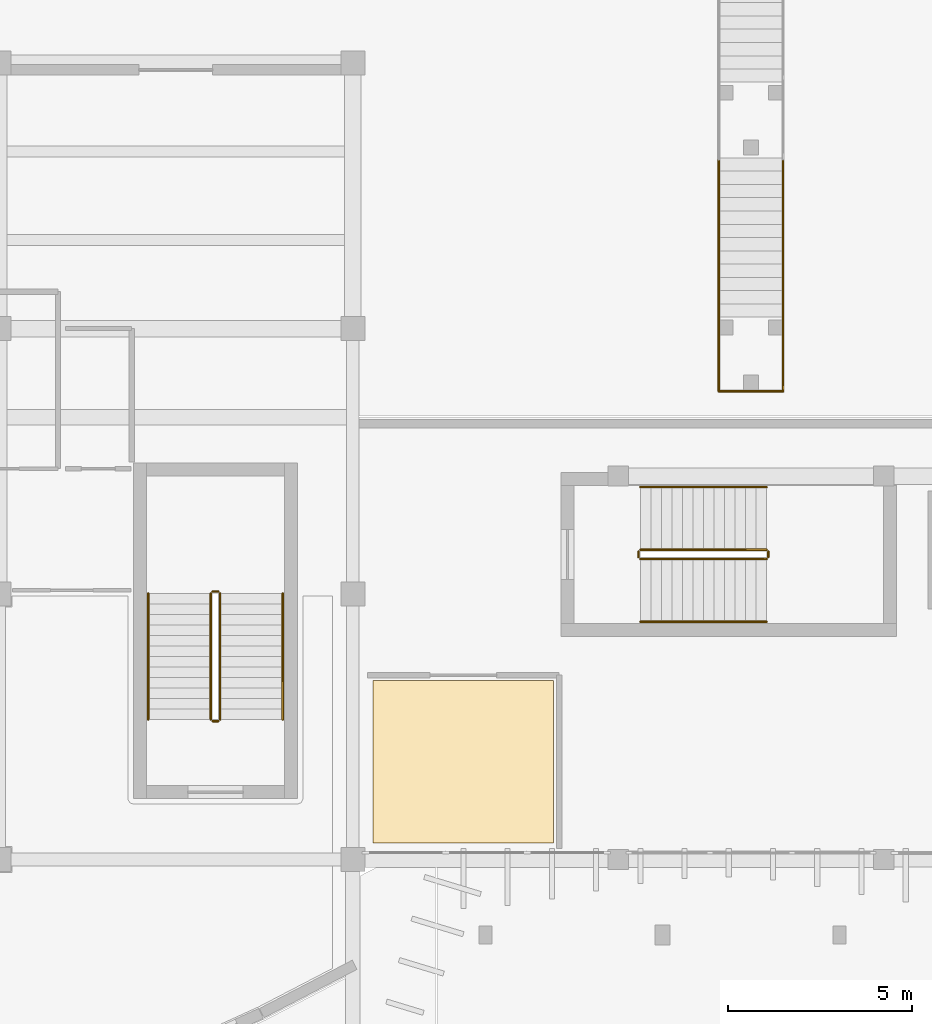
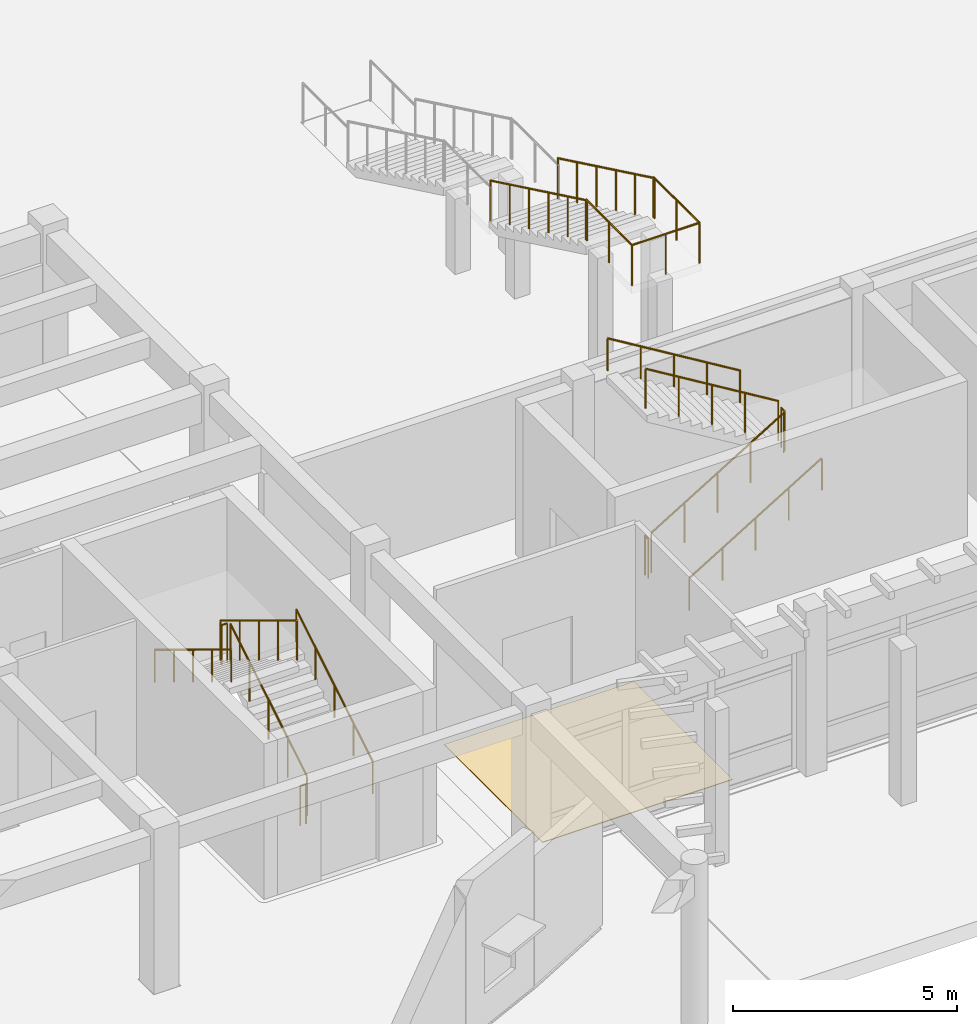
# One storey, part 48 of 58: 17 railings, 1 covering.
"""IFC4 building model written with IfcOpenShell, lengths in metres."""

from ifc_helpers import new_model, si_unit, direction, frame, origin, origin_2d, place, context, subcontext, project, spatial, polyline, circle, outline, extrude, material, layer, layer_set, type_object, element, save


model = new_model("IFC4")

# Units and contexts
model_context = context("Model", 3, precision=1e-05, world=origin(), true_north=direction((0.0, 1.0)))
body_context = subcontext(model_context, "Body", "Model", "MODEL_VIEW")
ifc_project = project(units=[si_unit("LENGTHUNIT", "METRE"), si_unit("AREAUNIT", "SQUARE_METRE"), si_unit("VOLUMEUNIT", "CUBIC_METRE"), si_unit("PLANEANGLEUNIT", "RADIAN"), si_unit("MASSUNIT", "GRAM", prefix="KILO")], contexts=[model_context])

# Site, building, storey
site_placement = place(None, origin())
site = spatial("IfcSite", under=ifc_project, at=site_placement, CompositionType="ELEMENT")
building_placement = place(site_placement, origin())
building = spatial("IfcBuilding", under=site, at=building_placement, Name="Brisavento Harbour Community Centre", CompositionType="ELEMENT")
storey_placement = place(building_placement, origin())
storey = spatial("IfcBuildingStorey", under=building, at=storey_placement, Name="L00", CompositionType="ELEMENT", Elevation=0.0)

# Covering
ifc_material_1 = material(Name="Polished marine terrazzo tile", Category="other")
ifc_layer = layer(ifc_material_1, 0.02001953125, Name="Polished marine terrazzo tile")
ifc_layer_set = layer_set([ifc_layer], Name="Polished marine terrazzo tile")
covering_type = type_object("IfcCoveringType", Name="COV-FLR-TRZ", PredefinedType="FLOORING", material=ifc_layer_set)
covering_placement = place(storey_placement, origin())
element("IfcCovering", 1, at=covering_placement, inside=storey, type_object=covering_type, Name="L00 Community Box Office and Cloakroom terrazzo flooring", PredefinedType="FLOORING", context=body_context, shape_type="SweptSolid", body=[
    extrude(outline(polyline([(55.85009765625, 14.85009765625), (55.85009765625, 19.25), (50.949951171875, 19.25), (50.949951171875, 14.85009765625), (55.85009765625, 14.85009765625)])), origin(), (0.0, 0.0, 1.0), 0.02001953125),
])

# Railings
ifc_material_2 = material(Name="Stainless steel 1.4401", Category="steel")
railing_type_1 = type_object("IfcRailingType", Name="RL-ST-GUARD", PredefinedType="GUARDRAIL", material=ifc_material_2)
railing_1_placement = place(storey_placement, frame((46.800048828125, 18.199951171875, 0.173095703125)))
element("IfcRailing", 2, at=railing_1_placement, inside=storey, type_object=railing_type_1, Name="L00 ST-02 stair guard 1", PredefinedType="GUARDRAIL", context=body_context, shape_type="SweptSolid", body=[
    extrude(circle(Radius=0.02392578125, at=origin_2d()), frame((0.0, 0.0, 1.076171875), z_axis=(0.0, 0.854745945586, 0.519046595696), x_axis=(-1.0, 0.0, 0.0)), (0.0, 0.0, 1.0), 4.00146484375),
    extrude(circle(Radius=0.02099609375, at=origin_2d()), origin(), (0.0, 0.0, 1.0), 1.052001953125),
    extrude(circle(Radius=0.02099609375, at=origin_2d()), frame((0.0, 0.85498046875, 0.519287109375)), (0.0, 0.0, 1.0), 1.052001953125),
    extrude(circle(Radius=0.02099609375, at=origin_2d()), frame((0.0, 1.7099609375, 1.03857421875)), (0.0, 0.0, 1.0), 1.052001953125),
    extrude(circle(Radius=0.02099609375, at=origin_2d()), frame((0.0, 2.565185546875, 1.5576171875)), (0.0, 0.0, 1.0), 1.052001953125),
    extrude(circle(Radius=0.02099609375, at=origin_2d()), frame((0.0, 3.420166015625, 2.076904296875)), (0.0, 0.0, 1.0), 1.052001953125),
])
railing_2_placement = place(storey_placement, frame((46.75, 21.669921875, 2.25)))
element("IfcRailing", 3, at=railing_2_placement, inside=storey, type_object=railing_type_1, Name="L00 ST-02 stair guard 2", PredefinedType="GUARDRAIL", context=body_context, shape_type="SweptSolid", body=[
    extrude(circle(Radius=0.02392578125, at=origin_2d()), frame((0.0, 0.0, 1.076171875), z_axis=(-1.0, 0.0, 0.0), x_axis=(0.0, -1.0, 0.0)), (0.0, 0.0, 1.0), 0.14990234375),
    extrude(circle(Radius=0.02099609375, at=origin_2d()), origin(), (0.0, 0.0, 1.0), 1.052001953125),
    extrude(circle(Radius=0.02099609375, at=origin_2d()), frame((-0.14990234375, 0.0, 0.0)), (0.0, 0.0, 1.0), 1.052001953125),
])
railing_3_placement = place(storey_placement, frame((46.550048828125, 21.6201171875, 2.423095703125)))
element("IfcRailing", 4, at=railing_3_placement, inside=storey, type_object=railing_type_1, Name="L00 ST-02 stair guard 3", PredefinedType="GUARDRAIL", context=body_context, shape_type="SweptSolid", body=[
    extrude(circle(Radius=0.02392578125, at=origin_2d()), frame((0.0, 0.0, 1.076171875), z_axis=(0.0, -0.854745945586, 0.519046595696), x_axis=(1.0, 0.0, 0.0)), (0.0, 0.0, 1.0), 4.00146484375),
    extrude(circle(Radius=0.02099609375, at=origin_2d()), origin(), (0.0, 0.0, 1.0), 1.052001953125),
    extrude(circle(Radius=0.02099609375, at=origin_2d()), frame((0.0, -0.85498046875, 0.519287109375)), (0.0, 0.0, 1.0), 1.052001953125),
    extrude(circle(Radius=0.02099609375, at=origin_2d()), frame((0.0, -1.7099609375, 1.03857421875)), (0.0, 0.0, 1.0), 1.052001953125),
    extrude(circle(Radius=0.02099609375, at=origin_2d()), frame((0.0, -2.565185546875, 1.5576171875)), (0.0, 0.0, 1.0), 1.052001953125),
    extrude(circle(Radius=0.02099609375, at=origin_2d()), frame((0.0, -3.420166015625, 2.076904296875)), (0.0, 0.0, 1.0), 1.052001953125),
])
railing_4_placement = place(storey_placement, frame((46.75, 18.14990234375, 0.0)))
element("IfcRailing", 5, at=railing_4_placement, inside=storey, type_object=railing_type_1, Name="L00 ST-02 stair guard 4", PredefinedType="GUARDRAIL", context=body_context, shape_type="SweptSolid", body=[
    extrude(circle(Radius=0.02392578125, at=origin_2d()), frame((0.0, 0.0, 1.076171875), z_axis=(-1.0, 0.0, 0.0), x_axis=(0.0, -1.0, 0.0)), (0.0, 0.0, 1.0), 0.14990234375),
    extrude(circle(Radius=0.02099609375, at=origin_2d()), origin(), (0.0, 0.0, 1.0), 1.052001953125),
    extrude(circle(Radius=0.02099609375, at=origin_2d()), frame((-0.14990234375, 0.0, 0.0)), (0.0, 0.0, 1.0), 1.052001953125),
])
railing_5_placement = place(storey_placement, frame((58.199951171875, 22.550048828125, 0.173095703125)))
element("IfcRailing", 6, at=railing_5_placement, inside=storey, type_object=railing_type_1, Name="L00 ST-03 stair guard 1", PredefinedType="GUARDRAIL", context=body_context, shape_type="SweptSolid", body=[
    extrude(circle(Radius=0.02392578125, at=origin_2d()), frame((0.0, 0.0, 1.076171875), z_axis=(0.854745945586, 0.0, 0.519046595696), x_axis=(0.0, 1.0, 0.0)), (0.0, 0.0, 1.0), 4.00146484375),
    extrude(circle(Radius=0.02099609375, at=origin_2d()), origin(), (0.0, 0.0, 1.0), 1.052001953125),
    extrude(circle(Radius=0.02099609375, at=origin_2d()), frame((0.85498046875, 0.0, 0.519287109375)), (0.0, 0.0, 1.0), 1.052001953125),
    extrude(circle(Radius=0.02099609375, at=origin_2d()), frame((1.7099609375, 0.0, 1.03857421875)), (0.0, 0.0, 1.0), 1.052001953125),
    extrude(circle(Radius=0.02099609375, at=origin_2d()), frame((2.565185546875, 0.0, 1.5576171875)), (0.0, 0.0, 1.0), 1.052001953125),
    extrude(circle(Radius=0.02099609375, at=origin_2d()), frame((3.420166015625, 0.0, 2.076904296875)), (0.0, 0.0, 1.0), 1.052001953125),
])
railing_6_placement = place(storey_placement, frame((61.669921875, 22.60009765625, 2.25)))
element("IfcRailing", 7, at=railing_6_placement, inside=storey, type_object=railing_type_1, Name="L00 ST-03 stair guard 2", PredefinedType="GUARDRAIL", context=body_context, shape_type="SweptSolid", body=[
    extrude(circle(Radius=0.02392578125, at=origin_2d()), frame((0.0, 0.0, 1.076171875), z_axis=(0.0, 1.0, 0.0), x_axis=(-1.0, 0.0, 0.0)), (0.0, 0.0, 1.0), 0.14990234375),
    extrude(circle(Radius=0.02099609375, at=origin_2d()), origin(), (0.0, 0.0, 1.0), 1.052001953125),
    extrude(circle(Radius=0.02099609375, at=origin_2d()), frame((0.0, 0.14990234375, 0.0)), (0.0, 0.0, 1.0), 1.052001953125),
])
railing_7_placement = place(storey_placement, frame((61.6201171875, 22.800048828125, 2.423095703125)))
element("IfcRailing", 8, at=railing_7_placement, inside=storey, type_object=railing_type_1, Name="L00 ST-03 stair guard 3", PredefinedType="GUARDRAIL", context=body_context, shape_type="SweptSolid", body=[
    extrude(circle(Radius=0.02392578125, at=origin_2d()), frame((0.0, 0.0, 1.076171875), z_axis=(-0.854745945586, 0.0, 0.519046595696), x_axis=(0.0, -1.0, 0.0)), (0.0, 0.0, 1.0), 4.00146484375),
    extrude(circle(Radius=0.02099609375, at=origin_2d()), origin(), (0.0, 0.0, 1.0), 1.052001953125),
    extrude(circle(Radius=0.02099609375, at=origin_2d()), frame((-0.85498046875, 0.0, 0.519287109375)), (0.0, 0.0, 1.0), 1.052001953125),
    extrude(circle(Radius=0.02099609375, at=origin_2d()), frame((-1.7099609375, 0.0, 1.03857421875)), (0.0, 0.0, 1.0), 1.052001953125),
    extrude(circle(Radius=0.02099609375, at=origin_2d()), frame((-2.565185546875, 0.0, 1.5576171875)), (0.0, 0.0, 1.0), 1.052001953125),
    extrude(circle(Radius=0.02099609375, at=origin_2d()), frame((-3.420166015625, 0.0, 2.076904296875)), (0.0, 0.0, 1.0), 1.052001953125),
])
railing_8_placement = place(storey_placement, frame((58.14990234375, 22.60009765625, 0.0)))
element("IfcRailing", 9, at=railing_8_placement, inside=storey, type_object=railing_type_1, Name="L00 ST-03 stair guard 4", PredefinedType="GUARDRAIL", context=body_context, shape_type="SweptSolid", body=[
    extrude(circle(Radius=0.02392578125, at=origin_2d()), frame((0.0, 0.0, 1.076171875), z_axis=(0.0, 1.0, 0.0), x_axis=(-1.0, 0.0, 0.0)), (0.0, 0.0, 1.0), 0.14990234375),
    extrude(circle(Radius=0.02099609375, at=origin_2d()), origin(), (0.0, 0.0, 1.0), 1.052001953125),
    extrude(circle(Radius=0.02099609375, at=origin_2d()), frame((0.0, 0.14990234375, 0.0)), (0.0, 0.0, 1.0), 1.052001953125),
])
railing_9_placement = place(storey_placement, frame((60.330078125, 33.429931640625, 2.423095703125)))
element("IfcRailing", 10, at=railing_9_placement, inside=storey, type_object=railing_type_1, Name="L00 MST-01 L F2 stair guard", PredefinedType="GUARDRAIL", context=body_context, shape_type="SweptSolid", body=[
    extrude(circle(Radius=0.02392578125, at=origin_2d()), frame((0.0, 0.0, 1.09619140625), z_axis=(0.0, -0.901247069301, 0.433305573558), x_axis=(1.0, 0.0, 0.0)), (0.0, 0.0, 1.0), 4.793212890625),
    extrude(circle(Radius=0.02099609375, at=origin_2d()), origin(), (0.0, 0.0, 1.0), 1.072021484375),
    extrude(circle(Radius=0.02099609375, at=origin_2d()), frame((0.0, -0.864013671875, 0.415283203125)), (0.0, 0.0, 1.0), 1.072021484375),
    extrude(circle(Radius=0.02099609375, at=origin_2d()), frame((0.0, -1.72802734375, 0.830810546875)), (0.0, 0.0, 1.0), 1.072021484375),
    extrude(circle(Radius=0.02099609375, at=origin_2d()), frame((0.0, -2.591796875, 1.24609375)), (0.0, 0.0, 1.0), 1.072021484375),
    extrude(circle(Radius=0.02099609375, at=origin_2d()), frame((0.0, -3.455810546875, 1.66162109375)), (0.0, 0.0, 1.0), 1.072021484375),
    extrude(circle(Radius=0.02099609375, at=origin_2d()), frame((0.0, -4.31982421875, 2.076904296875)), (0.0, 0.0, 1.0), 1.072021484375),
])
railing_10_placement = place(storey_placement, frame((60.330078125, 29.14990234375, 4.5)))
element("IfcRailing", 11, at=railing_10_placement, inside=storey, type_object=railing_type_1, Name="L00 MST-01 L L3 stair guard", PredefinedType="GUARDRAIL", context=body_context, shape_type="SweptSolid", body=[
    extrude(circle(Radius=0.02392578125, at=origin_2d()), frame((0.0, 0.0, 1.09619140625), z_axis=(0.0, -1.0, 0.0), x_axis=(1.0, 0.0, 0.0)), (0.0, 0.0, 1.0), 2.0498046875),
    extrude(circle(Radius=0.02099609375, at=origin_2d()), origin(), (0.0, 0.0, 1.0), 1.072021484375),
    extrude(circle(Radius=0.02099609375, at=origin_2d()), frame((0.0, -1.02490234375, 0.0)), (0.0, 0.0, 1.0), 1.072021484375),
    extrude(circle(Radius=0.02099609375, at=origin_2d()), frame((0.0, -2.0498046875, 0.0)), (0.0, 0.0, 1.0), 1.072021484375),
])
railing_11_placement = place(storey_placement, frame((62.070068359375, 33.429931640625, 2.423095703125)))
element("IfcRailing", 12, at=railing_11_placement, inside=storey, type_object=railing_type_1, Name="L00 MST-01 R F2 stair guard", PredefinedType="GUARDRAIL", context=body_context, shape_type="SweptSolid", body=[
    extrude(circle(Radius=0.02392578125, at=origin_2d()), frame((0.0, 0.0, 1.09619140625), z_axis=(0.0, -0.901247069301, 0.433305573558), x_axis=(1.0, 0.0, 0.0)), (0.0, 0.0, 1.0), 4.793212890625),
    extrude(circle(Radius=0.02099609375, at=origin_2d()), origin(), (0.0, 0.0, 1.0), 1.072021484375),
    extrude(circle(Radius=0.02099609375, at=origin_2d()), frame((0.0, -0.864013671875, 0.415283203125)), (0.0, 0.0, 1.0), 1.072021484375),
    extrude(circle(Radius=0.02099609375, at=origin_2d()), frame((0.0, -1.72802734375, 0.830810546875)), (0.0, 0.0, 1.0), 1.072021484375),
    extrude(circle(Radius=0.02099609375, at=origin_2d()), frame((0.0, -2.591796875, 1.24609375)), (0.0, 0.0, 1.0), 1.072021484375),
    extrude(circle(Radius=0.02099609375, at=origin_2d()), frame((0.0, -3.455810546875, 1.66162109375)), (0.0, 0.0, 1.0), 1.072021484375),
    extrude(circle(Radius=0.02099609375, at=origin_2d()), frame((0.0, -4.31982421875, 2.076904296875)), (0.0, 0.0, 1.0), 1.072021484375),
])
railing_12_placement = place(storey_placement, frame((62.070068359375, 29.14990234375, 4.5)))
element("IfcRailing", 13, at=railing_12_placement, inside=storey, type_object=railing_type_1, Name="L00 MST-01 R L3 stair guard", PredefinedType="GUARDRAIL", context=body_context, shape_type="SweptSolid", body=[
    extrude(circle(Radius=0.02392578125, at=origin_2d()), frame((0.0, 0.0, 1.09619140625), z_axis=(0.0, -1.0, 0.0), x_axis=(1.0, 0.0, 0.0)), (0.0, 0.0, 1.0), 2.0498046875),
    extrude(circle(Radius=0.02099609375, at=origin_2d()), origin(), (0.0, 0.0, 1.0), 1.072021484375),
    extrude(circle(Radius=0.02099609375, at=origin_2d()), frame((0.0, -1.02490234375, 0.0)), (0.0, 0.0, 1.0), 1.072021484375),
    extrude(circle(Radius=0.02099609375, at=origin_2d()), frame((0.0, -2.0498046875, 0.0)), (0.0, 0.0, 1.0), 1.072021484375),
])
railing_13_placement = place(storey_placement, frame((60.330078125, 27.10009765625, 4.5)))
element("IfcRailing", 14, at=railing_13_placement, inside=storey, type_object=railing_type_1, Name="L00 MST-01 top landing end guard", PredefinedType="GUARDRAIL", context=body_context, shape_type="SweptSolid", body=[
    extrude(circle(Radius=0.02392578125, at=origin_2d()), frame((0.0, 0.0, 1.09619140625), z_axis=(1.0, 0.0, 0.0), x_axis=(0.0, 1.0, 0.0)), (0.0, 0.0, 1.0), 1.739990234375),
    extrude(circle(Radius=0.02099609375, at=origin_2d()), origin(), (0.0, 0.0, 1.0), 1.072021484375),
    extrude(circle(Radius=0.02099609375, at=origin_2d()), frame((0.8701171875, 0.0, 0.0)), (0.0, 0.0, 1.0), 1.072021484375),
    extrude(circle(Radius=0.02099609375, at=origin_2d()), frame((1.739990234375, 0.0, 0.0)), (0.0, 0.0, 1.0), 1.072021484375),
])
railing_type_2 = type_object("IfcRailingType", Name="RL-ST-HAND", PredefinedType="HANDRAIL", material=ifc_material_2)
railing_14_placement = place(storey_placement, frame((48.5, 18.199951171875, 0.173095703125)))
element("IfcRailing", 15, at=railing_14_placement, inside=storey, type_object=railing_type_2, Name="L00 ST-02 stair handrail 1", PredefinedType="HANDRAIL", context=body_context, shape_type="SweptSolid", body=[
    extrude(circle(Radius=0.02392578125, at=origin_2d()), frame((0.0, 0.0, 0.8759765625), z_axis=(0.0, 0.854745945586, 0.519046595696), x_axis=(-1.0, 0.0, 0.0)), (0.0, 0.0, 1.0), 4.00146484375),
    extrude(circle(Radius=0.02099609375, at=origin_2d()), origin(), (0.0, 0.0, 1.0), 0.851806640625),
    extrude(circle(Radius=0.02099609375, at=origin_2d()), frame((0.0, 0.85498046875, 0.519287109375)), (0.0, 0.0, 1.0), 0.851806640625),
    extrude(circle(Radius=0.02099609375, at=origin_2d()), frame((0.0, 1.7099609375, 1.03857421875)), (0.0, 0.0, 1.0), 0.851806640625),
    extrude(circle(Radius=0.02099609375, at=origin_2d()), frame((0.0, 2.565185546875, 1.5576171875)), (0.0, 0.0, 1.0), 0.851806640625),
    extrude(circle(Radius=0.02099609375, at=origin_2d()), frame((0.0, 3.420166015625, 2.076904296875)), (0.0, 0.0, 1.0), 0.851806640625),
])
railing_15_placement = place(storey_placement, frame((44.85009765625, 21.6201171875, 2.423095703125)))
element("IfcRailing", 16, at=railing_15_placement, inside=storey, type_object=railing_type_2, Name="L00 ST-02 stair handrail 2", PredefinedType="HANDRAIL", context=body_context, shape_type="SweptSolid", body=[
    extrude(circle(Radius=0.02392578125, at=origin_2d()), frame((0.0, 0.0, 0.8759765625), z_axis=(0.0, -0.854745945586, 0.519046595696), x_axis=(1.0, 0.0, 0.0)), (0.0, 0.0, 1.0), 4.00146484375),
    extrude(circle(Radius=0.02099609375, at=origin_2d()), origin(), (0.0, 0.0, 1.0), 0.851806640625),
    extrude(circle(Radius=0.02099609375, at=origin_2d()), frame((0.0, -0.85498046875, 0.519287109375)), (0.0, 0.0, 1.0), 0.851806640625),
    extrude(circle(Radius=0.02099609375, at=origin_2d()), frame((0.0, -1.7099609375, 1.03857421875)), (0.0, 0.0, 1.0), 0.851806640625),
    extrude(circle(Radius=0.02099609375, at=origin_2d()), frame((0.0, -2.565185546875, 1.5576171875)), (0.0, 0.0, 1.0), 0.851806640625),
    extrude(circle(Radius=0.02099609375, at=origin_2d()), frame((0.0, -3.420166015625, 2.076904296875)), (0.0, 0.0, 1.0), 0.851806640625),
])
railing_16_placement = place(storey_placement, frame((58.199951171875, 20.85009765625, 0.173095703125)))
element("IfcRailing", 17, at=railing_16_placement, inside=storey, type_object=railing_type_2, Name="L00 ST-03 stair handrail 1", PredefinedType="HANDRAIL", context=body_context, shape_type="SweptSolid", body=[
    extrude(circle(Radius=0.02392578125, at=origin_2d()), frame((0.0, 0.0, 0.8759765625), z_axis=(0.854745945586, 0.0, 0.519046595696), x_axis=(0.0, 1.0, 0.0)), (0.0, 0.0, 1.0), 4.00146484375),
    extrude(circle(Radius=0.02099609375, at=origin_2d()), origin(), (0.0, 0.0, 1.0), 0.851806640625),
    extrude(circle(Radius=0.02099609375, at=origin_2d()), frame((0.85498046875, 0.0, 0.519287109375)), (0.0, 0.0, 1.0), 0.851806640625),
    extrude(circle(Radius=0.02099609375, at=origin_2d()), frame((1.7099609375, 0.0, 1.03857421875)), (0.0, 0.0, 1.0), 0.851806640625),
    extrude(circle(Radius=0.02099609375, at=origin_2d()), frame((2.565185546875, 0.0, 1.5576171875)), (0.0, 0.0, 1.0), 0.851806640625),
    extrude(circle(Radius=0.02099609375, at=origin_2d()), frame((3.420166015625, 0.0, 2.076904296875)), (0.0, 0.0, 1.0), 0.851806640625),
])
railing_17_placement = place(storey_placement, frame((61.6201171875, 24.5, 2.423095703125)))
element("IfcRailing", 18, at=railing_17_placement, inside=storey, type_object=railing_type_2, Name="L00 ST-03 stair handrail 2", PredefinedType="HANDRAIL", context=body_context, shape_type="SweptSolid", body=[
    extrude(circle(Radius=0.02392578125, at=origin_2d()), frame((0.0, 0.0, 0.8759765625), z_axis=(-0.854745945586, 0.0, 0.519046595696), x_axis=(0.0, -1.0, 0.0)), (0.0, 0.0, 1.0), 4.00146484375),
    extrude(circle(Radius=0.02099609375, at=origin_2d()), origin(), (0.0, 0.0, 1.0), 0.851806640625),
    extrude(circle(Radius=0.02099609375, at=origin_2d()), frame((-0.85498046875, 0.0, 0.519287109375)), (0.0, 0.0, 1.0), 0.851806640625),
    extrude(circle(Radius=0.02099609375, at=origin_2d()), frame((-1.7099609375, 0.0, 1.03857421875)), (0.0, 0.0, 1.0), 0.851806640625),
    extrude(circle(Radius=0.02099609375, at=origin_2d()), frame((-2.565185546875, 0.0, 1.5576171875)), (0.0, 0.0, 1.0), 0.851806640625),
    extrude(circle(Radius=0.02099609375, at=origin_2d()), frame((-3.420166015625, 0.0, 2.076904296875)), (0.0, 0.0, 1.0), 0.851806640625),
])

save(model, "model.ifc")
